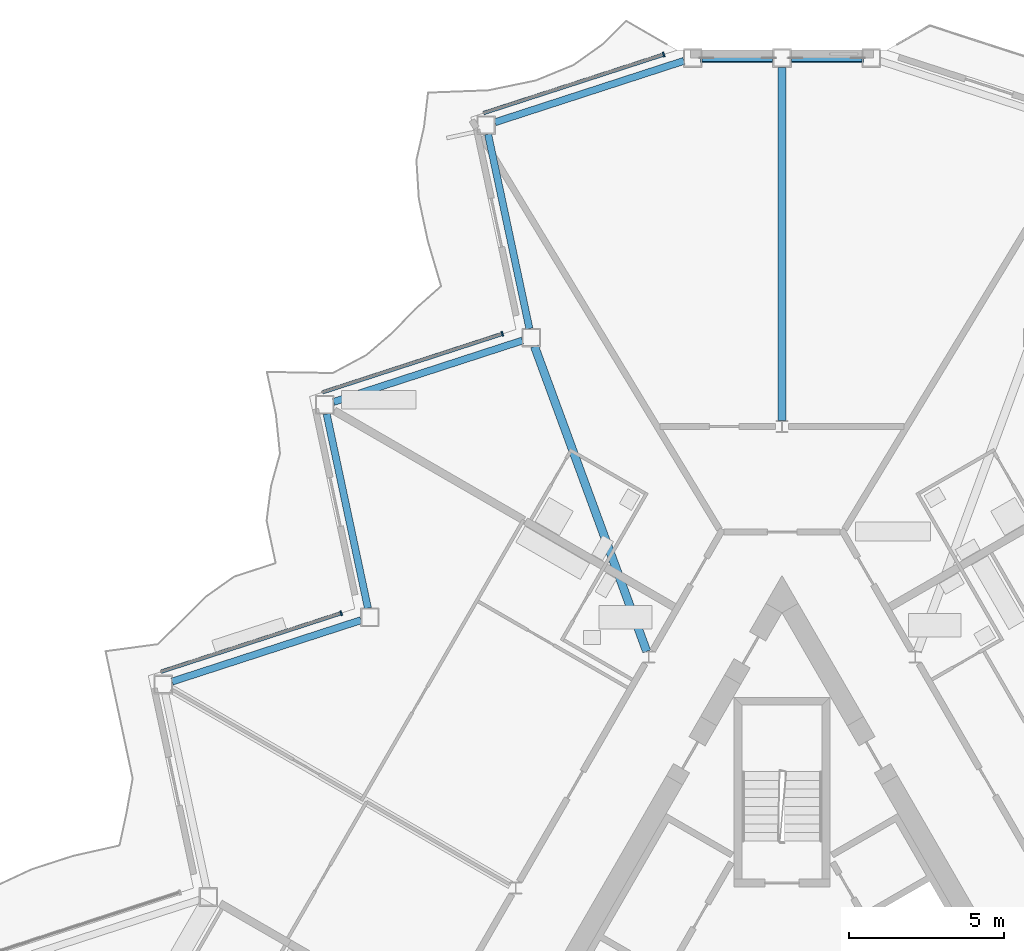
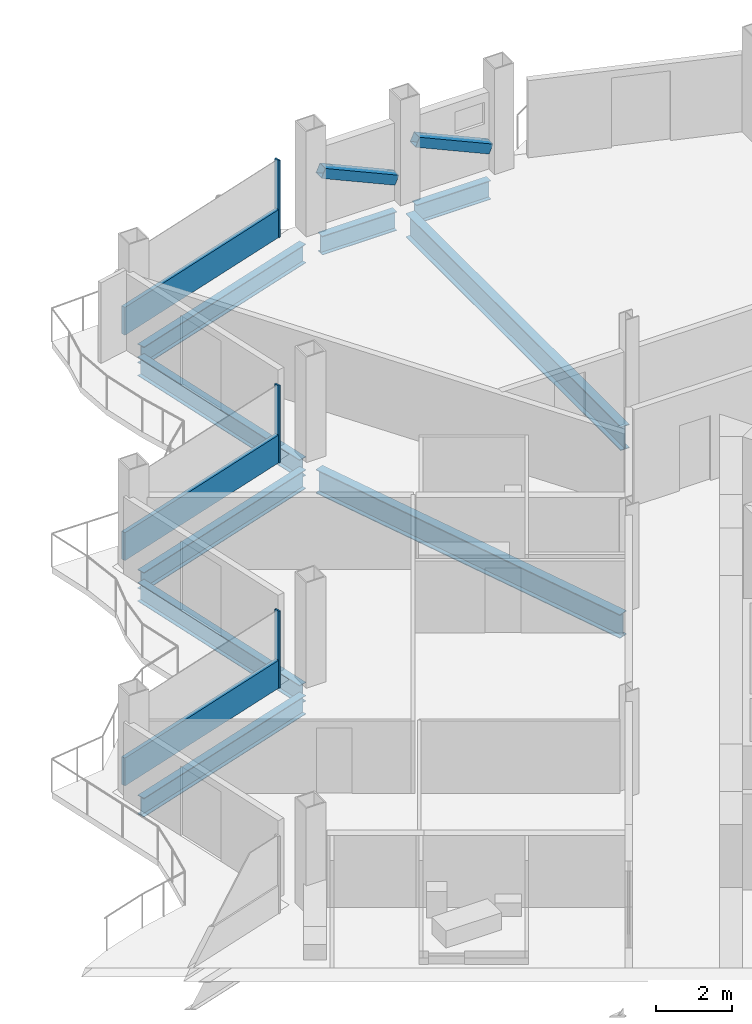
# One storey, part 10 of 27: 9 beams, 8 members, 3 elements without a shape of their own.
"""IFC4 building model written with IfcOpenShell, lengths in metres."""

import ifcopenshell
import ifcopenshell.guid

model = None  # the IFC model being written
_history = None  # IfcOwnerHistory: only IFC2X3 demands one
_inside = {}  # id of a spatial element -> (the spatial element, [elements in it])
_under = {}  # id of a project, library or spatial element -> (it, [spatial elements below it])
_declared = {}  # id of a project -> (the project, [libraries it declares])
_typed = {}  # id of a type object -> (the type object, [elements of that type])
_made_of = {}  # id of a material, layer set ... -> (it, [elements and type objects made of it])


def new_model(schema):
    """Start an empty IFC model of exactly this schema.

    Asked for "IFC4X3", IfcOpenShell would pick the latest addendum, in which some entities
    have other attributes; the version numbers below select the first issue.
    IFC2X3 requires an IfcOwnerHistory on every rooted entity: one is made here for all.
    """
    global model, _history
    if schema == "IFC4X3":
        model = ifcopenshell.file(schema_version=(4, 3, 0, 0))
    else:
        model = ifcopenshell.file(schema=schema)
    _inside.clear()
    _under.clear()
    _declared.clear()
    _typed.clear()
    _made_of.clear()
    _history = None
    if model.schema == "IFC2X3":
        org = make("IfcOrganization", Name="unknown")
        user = make(
            "IfcPersonAndOrganization",
            ThePerson=make("IfcPerson", FamilyName="unknown"),
            TheOrganization=org,
        )
        app = make(
            "IfcApplication",
            ApplicationDeveloper=org,
            Version="unknown",
            ApplicationFullName="unknown",
            ApplicationIdentifier="unknown",
        )
        _history = make(
            "IfcOwnerHistory",
            OwningUser=user,
            OwningApplication=app,
            ChangeAction="ADDED",
            CreationDate=0,
        )
    return model


def make(cls, **values):
    """One entity of the class cls with the attributes given. An attribute that is None is left unset."""
    return model.create_entity(
        cls, **{name: value for name, value in values.items() if value is not None}
    )


def rooted(cls, **values):
    """An entity with a GlobalId (a new one), such as an element, a storey or a relation."""
    return make(cls, GlobalId=ifcopenshell.guid.new(), OwnerHistory=_history, **values)


def si_unit(unit_type, name, prefix=None):
    """IfcSIUnit, for example si_unit("LENGTHUNIT", "METRE", prefix="MILLI")."""
    return make("IfcSIUnit", UnitType=unit_type, Prefix=prefix, Name=name)


def assignment(units):
    """IfcUnitAssignment: the units of a project."""
    return None if units is None else make("IfcUnitAssignment", Units=units)


def point(xyz):
    """IfcCartesianPoint."""
    return None if xyz is None else make("IfcCartesianPoint", Coordinates=xyz)


def direction(xyz):
    """IfcDirection."""
    return None if xyz is None else make("IfcDirection", DirectionRatios=xyz)


def frame(location, z_axis=None, x_axis=None):
    """IfcAxis2Placement3D, a coordinate frame: its origin and axes. An axis left out is left unset."""
    return make(
        "IfcAxis2Placement3D",
        Location=point(location),
        Axis=direction(z_axis),
        RefDirection=direction(x_axis),
    )


def frame_2d(location, x_axis=None):
    """IfcAxis2Placement2D, a coordinate frame in the plane: its origin and x axis."""
    return make(
        "IfcAxis2Placement2D", Location=point(location), RefDirection=direction(x_axis)
    )


def origin():
    """The frame at (0, 0, 0) with its axes left unset."""
    return frame((0.0, 0.0, 0.0))


def origin_2d():
    """The frame at (0, 0) in the plane with its x axis left unset."""
    return frame_2d((0.0, 0.0))


def place(relative_to, where):
    """IfcLocalPlacement: puts the frame where relative to a parent placement (None: the world)."""
    return make(
        "IfcLocalPlacement", PlacementRelTo=relative_to, RelativePlacement=where
    )


def context(
    kind, dimensions, precision=None, world=None, true_north=None, identifier=None
):
    """IfcGeometricRepresentationContext, for example the 3D "Model" context."""
    return make(
        "IfcGeometricRepresentationContext",
        ContextIdentifier=identifier,
        ContextType=kind,
        CoordinateSpaceDimension=dimensions,
        Precision=precision,
        WorldCoordinateSystem=world,
        TrueNorth=true_north,
    )


def subcontext(parent, identifier, kind, view, scale=None):
    """IfcGeometricRepresentationSubContext, for example "Body" below "Model"."""
    return make(
        "IfcGeometricRepresentationSubContext",
        ContextIdentifier=identifier,
        ContextType=kind,
        ParentContext=parent,
        TargetScale=scale,
        TargetView=view,
    )


def project(units=None, contexts=None):
    """IfcProject with its units and contexts."""
    return rooted(
        "IfcProject",
        Name="project",
        RepresentationContexts=contexts,
        UnitsInContext=assignment(units),
    )


def spatial(cls, under=None, at=None, **own):
    """A site, building, storey or space (cls), placed at a placement, below another one or the project."""
    s = rooted(cls, ObjectPlacement=at, **own)
    if under is not None:
        _under.setdefault(under.id(), (under, []))[1].append(s)
    return s


def profile(cls, at=None, kind="AREA", **sizes):
    """A parametric profile (cls). Its sizes go by their IFC names, for example OverallWidth=200.0."""
    return make(cls, ProfileType=kind, Position=at, **sizes)


def rectangle(**sizes):
    """IfcRectangleProfileDef."""
    return profile("IfcRectangleProfileDef", **sizes)


def hollow_rectangle(**sizes):
    """IfcRectangleHollowProfileDef."""
    return profile("IfcRectangleHollowProfileDef", **sizes)


def i_section(**sizes):
    """IfcIShapeProfileDef."""
    return profile("IfcIShapeProfileDef", **sizes)


def extrude(swept, where, along, depth):
    """IfcExtrudedAreaSolid: the profile swept, set in the frame where, extruded along a direction by depth."""
    return make(
        "IfcExtrudedAreaSolid",
        SweptArea=swept,
        Position=where,
        ExtrudedDirection=direction(along),
        Depth=depth,
    )


def shape(context_of_items, identifier, shape_type, items):
    """IfcShapeRepresentation: the items that make up one representation, for example the "Body"."""
    return make(
        "IfcShapeRepresentation",
        ContextOfItems=context_of_items,
        RepresentationIdentifier=identifier,
        RepresentationType=shape_type,
        Items=items,
    )


def material(Name=None, Category=None):
    """IfcMaterial."""
    return make("IfcMaterial", Name=Name, Category=Category)


def layer(
    of_material, thickness, ventilated=None, Name=None, Category=None, Priority=None
):
    """IfcMaterialLayer: one layer of a wall or slab, of a material (None: an air gap)."""
    return make(
        "IfcMaterialLayer",
        Material=of_material,
        LayerThickness=thickness,
        IsVentilated=ventilated,
        Name=Name,
        Category=Category,
        Priority=Priority,
    )


def layer_set(layers, Name=None):
    """IfcMaterialLayerSet."""
    return make("IfcMaterialLayerSet", MaterialLayers=layers, LayerSetName=Name)


def material_profile(
    of_material, cross_section, Name=None, Category=None, Priority=None
):
    """IfcMaterialProfile: a cross section and its material."""
    return make(
        "IfcMaterialProfile",
        Name=Name,
        Material=of_material,
        Profile=cross_section,
        Priority=Priority,
        Category=Category,
    )


def profile_set(profiles, Name=None, composite=None):
    """IfcMaterialProfileSet."""
    return make(
        "IfcMaterialProfileSet",
        Name=Name,
        MaterialProfiles=profiles,
        CompositeProfile=composite,
    )


def made_of(thing, what):
    """Note that an element or type object is made of a material, layer set ...; save() writes the relation."""
    if what is not None:
        _made_of.setdefault(what.id(), (what, []))[1].append(thing)
    return thing


def type_object(cls, material=None, **own):
    """A type object (cls), such as IfcWallType, which elements share."""
    return made_of(rooted(cls, **own), material)


def element(
    cls,
    number,
    at=None,
    inside=None,
    cuts=None,
    type_object=None,
    material=None,
    context=None,
    identifier="Body",
    shape_type=None,
    held_by="IfcProductDefinitionShape",
    body=None,
    shapes=None,
    **own,
):
    """One element of the class cls, such as IfcWall. Its Tag is "e" and its number.

    at: its placement. inside: the storey or other place that contains it. cuts: it is an
    opening in that element (IfcRelVoidsElement). A single representation is given by context,
    identifier, shape_type and body (its items); several are given by shapes. held_by: the class
    of the entity that holds the representations. save() writes the other relations.
    """
    e = rooted(cls, Tag="e%d" % number, ObjectPlacement=at, **own)
    if body is not None:
        shapes = [shape(context, identifier, shape_type, body)]
    if shapes is not None:
        e.Representation = make(held_by, Representations=shapes)
    if inside is not None:
        _inside.setdefault(inside.id(), (inside, []))[1].append(e)
    if cuts is not None:
        rooted(
            "IfcRelVoidsElement", RelatingBuildingElement=cuts, RelatedOpeningElement=e
        )
    if type_object is not None:
        _typed.setdefault(type_object.id(), (type_object, []))[1].append(e)
    return made_of(e, material)


def aggregate(whole, parts):
    """IfcRelAggregates: a whole, such as a stair, and the parts it consists of."""
    return rooted("IfcRelAggregates", RelatingObject=whole, RelatedObjects=parts)


def save(model, path):
    """Write the relations noted so far, then the file.

    IfcRelAggregates (storeys below a building ...), IfcRelContainedInSpatialStructure (elements
    in a storey), IfcRelDefinesByType, IfcRelAssociatesMaterial and IfcRelDeclares: one each for
    every whole, place, type object, material and project.
    """
    for whole, parts in _under.values():
        aggregate(whole, parts)
    for where, things in _inside.values():
        rooted(
            "IfcRelContainedInSpatialStructure",
            RelatedElements=things,
            RelatingStructure=where,
        )
    for kind, things in _typed.values():
        rooted("IfcRelDefinesByType", RelatedObjects=things, RelatingType=kind)
    for what, things in _made_of.values():
        rooted("IfcRelAssociatesMaterial", RelatedObjects=things, RelatingMaterial=what)
    for by, libraries in _declared.values():
        rooted("IfcRelDeclares", RelatingContext=by, RelatedDefinitions=libraries)
    model.write(path)


model = new_model("IFC4")

# Units and contexts
model_context = context("Model", 3, precision=1e-05, world=origin(), true_north=direction((0.0, 1.0)))
body_context = subcontext(model_context, "Body", "Model", "MODEL_VIEW")
ifc_project = project(units=[si_unit("LENGTHUNIT", "METRE"), si_unit("AREAUNIT", "SQUARE_METRE"), si_unit("VOLUMEUNIT", "CUBIC_METRE"), si_unit("PLANEANGLEUNIT", "RADIAN"), si_unit("MASSUNIT", "GRAM", prefix="KILO")], contexts=[model_context])

# Site, building, storey
site_placement = place(None, origin())
site = spatial("IfcSite", under=ifc_project, at=site_placement, CompositionType="ELEMENT")
building_placement = place(site_placement, origin())
building = spatial("IfcBuilding", under=site, at=building_placement, Name="Cormorant Prow Tower", CompositionType="ELEMENT")
storey_placement = place(building_placement, frame((0.0, 0.0, 312.0)))
storey = spatial("IfcBuildingStorey", under=building, at=storey_placement, Name="L68", CompositionType="ELEMENT", Elevation=312.0)

# Members
ifc_material_1 = material(Name="Structural steel ASTM A500 Gr C", Category="steel")
ifc_material_profile_1 = material_profile(ifc_material_1, hollow_rectangle(XDim=0.3046875, YDim=0.3046875, WallThickness=0.01171875, at=origin_2d()), Name="HSS12x12x1/2")
ifc_profile_set_1 = profile_set([ifc_material_profile_1], Name="Structural steel ASTM A500 Gr C")
member_type_1 = type_object("IfcMemberType", Name="Chamfer brace HSS12x12x1/2", PredefinedType="BRACE", material=ifc_profile_set_1)
for number, where, z_axis, x_axis, name in (
    (1, (2.55908203125, 31.676025390625, 0.7412109375), (-0.91256681832, 0.0, 0.408927624528), (0.0, -1.0, 0.0), "Chamfer brace BR3 at N00 L68"),
    (2, (-0.31494140625, 31.676025390625, 0.7412109375), (-0.91256681832, 0.0, 0.408927624528), (0.0, -1.0, 0.0), "Chamfer brace BR3 at N01 L68"),
):
    element("IfcMember", number, at=place(storey_placement, frame(where, z_axis=z_axis, x_axis=x_axis)), inside=storey, type_object=member_type_1, Name=name, PredefinedType="BRACE", context=body_context, shape_type="SweptSolid", body=[
        extrude(hollow_rectangle(XDim=0.3046875, YDim=0.3046875, WallThickness=0.01171875, at=origin_2d()), origin(), (0.0, 0.0, 1.0), 2.459228515625),
    ])

# Beams
ifc_material_2 = material(Name="Structural steel ASTM A992 Gr 50", Category="steel")
ifc_material_profile_2 = material_profile(ifc_material_2, i_section(OverallWidth=0.267822265625, OverallDepth=0.77001953125, WebThickness=0.015625, FlangeThickness=0.025390625, at=origin_2d()), Name="W30x132")
ifc_profile_set_2 = profile_set([ifc_material_profile_2], Name="Structural steel ASTM A992 Gr 50")
beam_type_1 = type_object("IfcBeamType", Name="Radial floor beam W30x132", PredefinedType="BEAM", material=ifc_profile_set_2)
beam_1_placement = place(storey_placement, frame((0.0, 20.0087890625, -0.68505859375), z_axis=(0.0, 1.0, 0.0), x_axis=(-1.0, 0.0, 0.0)))
element("IfcBeam", 3, at=beam_1_placement, inside=storey, type_object=beam_type_1, Name="Radial floor beam FB3 1 L68", PredefinedType="BEAM", context=body_context, shape_type="SweptSolid", body=[
    extrude(i_section(OverallWidth=0.267822265625, OverallDepth=0.77001953125, WebThickness=0.015625, FlangeThickness=0.025390625, at=origin_2d()), origin(), (0.0, 0.0, 1.0), 11.3671875),
])
beam_2_placement = place(storey_placement, frame((-4.357421875, 12.5673828125, -0.68505859375), z_axis=(-0.345131226703, 0.938554439739, 0.0), x_axis=(-0.938554439739, -0.345131226703, 0.0)))
element("IfcBeam", 4, at=beam_2_placement, inside=storey, type_object=beam_type_1, Name="Radial floor beam FB3 2 L68", PredefinedType="BEAM", context=body_context, shape_type="SweptSolid", body=[
    extrude(i_section(OverallWidth=0.267822265625, OverallDepth=0.77001953125, WebThickness=0.015625, FlangeThickness=0.025390625, at=origin_2d()), origin(), (0.0, 0.0, 1.0), 10.465087890625),
])

# Curtain wall, member
ifc_material_3 = material(Name="Aluminium 6063-T6", Category="aluminium")
ifc_layer = layer(ifc_material_3, 0.159912109375)
ifc_layer_set = layer_set([ifc_layer], Name="Aluminium 6063-T6")
curtain_wall_type = type_object("IfcCurtainWallType", Name="Residential unitised curtain wall 160", PredefinedType="NOTDEFINED", material=ifc_layer_set)
curtain_wall_1_placement = place(storey_placement, origin())
curtain_wall_1 = element("IfcCurtainWall", 5, at=curtain_wall_1_placement, inside=storey, type_object=curtain_wall_type, Name="Residential curtain wall WNW00", PredefinedType="NOTDEFINED")
ifc_material_4 = material(Name="Aluminium 6063-T6", Category="aluminium")
ifc_material_profile_3 = material_profile(ifc_material_4, rectangle(XDim=0.159912109375, YDim=0.050048828125, at=origin_2d()), Name="Residential mullion 50x160")
ifc_profile_set_3 = profile_set([ifc_material_profile_3], Name="Aluminium 6063-T6")
member_type_2 = type_object("IfcMemberType", Name="Residential mullion 50x160", PredefinedType="MULLION", material=ifc_profile_set_3)
member_1_placement = place(storey_placement, frame((-3.810791015625, 31.787109375, 0.0), z_axis=(0.0, 0.0, 1.0), x_axis=(0.309016945109, -0.951056532303, 0.0)))
member_1 = element("IfcMember", 6, at=member_1_placement, type_object=member_type_2, Name="Residential mullion WNW00", PredefinedType="MULLION", context=body_context, shape_type="SweptSolid", body=[
    extrude(rectangle(XDim=0.159912109375, YDim=0.050048828125, at=origin_2d()), origin(), (0.0, 0.0, 1.0), 2.48779296875),
])

curtain_wall_2_placement = place(storey_placement, origin())
curtain_wall_2 = element("IfcCurtainWall", 7, at=curtain_wall_2_placement, inside=storey, type_object=curtain_wall_type, Name="Residential curtain wall WNW02", PredefinedType="NOTDEFINED")
member_2_placement = place(storey_placement, frame((-9.00341796875, 22.792724609375, 0.0), z_axis=(0.0, 0.0, 1.0), x_axis=(0.309016945109, -0.951056532303, 0.0)))
member_2 = element("IfcMember", 8, at=member_2_placement, type_object=member_type_2, Name="Residential mullion WNW02", PredefinedType="MULLION", context=body_context, shape_type="SweptSolid", body=[
    extrude(rectangle(XDim=0.159912109375, YDim=0.050048828125, at=origin_2d()), origin(), (0.0, 0.0, 1.0), 2.48779296875),
])

curtain_wall_3_placement = place(storey_placement, origin())
curtain_wall_3 = element("IfcCurtainWall", 9, at=curtain_wall_3_placement, inside=storey, type_object=curtain_wall_type, Name="Residential curtain wall WNW04", PredefinedType="NOTDEFINED")
member_3_placement = place(storey_placement, frame((-14.1962890625, 13.798583984375, 0.0), z_axis=(0.0, 0.0, 1.0), x_axis=(0.309017074565, -0.95105649024, 0.0)))
member_3 = element("IfcMember", 10, at=member_3_placement, type_object=member_type_2, Name="Residential mullion WNW04", PredefinedType="MULLION", context=body_context, shape_type="SweptSolid", body=[
    extrude(rectangle(XDim=0.159912109375, YDim=0.050048828125, at=origin_2d()), origin(), (0.0, 0.0, 1.0), 2.48779296875),
])

# Member
ifc_material_5 = material(Name="Terracotta", Category="masonry")
ifc_material_profile_4 = material_profile(ifc_material_5, rectangle(XDim=0.1201171875, YDim=0.89990234375, at=origin_2d()), Name="Residential terracotta spandrel rail 120x900")
ifc_profile_set_4 = profile_set([ifc_material_profile_4], Name="Terracotta")
member_type_3 = type_object("IfcMemberType", Name="Residential terracotta spandrel rail 120x900", PredefinedType="USERDEFINED", material=ifc_profile_set_4)
member_4_placement = place(storey_placement, frame((-3.83447265625, 31.779296875, 0.449951171875), z_axis=(-0.951049438515, -0.309038776692, 0.0), x_axis=(0.309038776692, -0.951049438515, 0.0)))
member_4 = element("IfcMember", 11, at=member_4_placement, type_object=member_type_3, Name="Residential spandrel rail WNW00", ObjectType="TRANSOM", PredefinedType="USERDEFINED", context=body_context, shape_type="SweptSolid", body=[
    extrude(rectangle(XDim=0.1201171875, YDim=0.89990234375, at=origin_2d()), origin(), (0.0, 0.0, 1.0), 6.069580078125),
])

aggregate(curtain_wall_1, [member_1, member_4])

member_5_placement = place(storey_placement, frame((-9.02734375, 22.78515625, 0.449951171875), z_axis=(-0.951049438515, -0.309038776692, 0.0), x_axis=(0.309038776692, -0.951049438515, 0.0)))
member_5 = element("IfcMember", 12, at=member_5_placement, type_object=member_type_3, Name="Residential spandrel rail WNW02", ObjectType="TRANSOM", PredefinedType="USERDEFINED", context=body_context, shape_type="SweptSolid", body=[
    extrude(rectangle(XDim=0.1201171875, YDim=0.89990234375, at=origin_2d()), origin(), (0.0, 0.0, 1.0), 6.069580078125),
])

aggregate(curtain_wall_2, [member_2, member_5])

member_6_placement = place(storey_placement, frame((-14.22021484375, 13.790771484375, 0.449951171875), z_axis=(-0.951061260164, -0.309002393867, 0.0), x_axis=(0.309002393867, -0.951061260164, 0.0)))
member_6 = element("IfcMember", 13, at=member_6_placement, type_object=member_type_3, Name="Residential spandrel rail WNW04", ObjectType="TRANSOM", PredefinedType="USERDEFINED", context=body_context, shape_type="SweptSolid", body=[
    extrude(rectangle(XDim=0.1201171875, YDim=0.89990234375, at=origin_2d()), origin(), (0.0, 0.0, 1.0), 6.069580078125),
])

aggregate(curtain_wall_3, [member_3, member_6])

# Beams
ifc_material_6 = material(Name="Structural steel ASTM A992 Gr 50", Category="steel")
ifc_material_profile_5 = material_profile(ifc_material_6, i_section(OverallWidth=0.22900390625, OverallDepth=0.612060546875, WebThickness=0.011962890625, FlangeThickness=0.01953125, at=origin_2d()), Name="W24x84")
ifc_profile_set_5 = profile_set([ifc_material_profile_5], Name="Structural steel ASTM A992 Gr 50")
beam_type_2 = type_object("IfcBeamType", Name="Spandrel beam W24x84", PredefinedType="SPANDREL", material=ifc_profile_set_5)
for number, where, z_axis, x_axis, name in (
    (14, (2.57373046875, 31.676025390625, -0.60595703125), (-1.0, 0.0, 0.0), (0.0, -1.0, 0.0), "Spandrel beam SB3 N00-N01 L68"),
    (15, (-0.300048828125, 31.676025390625, -0.60595703125), (-1.0, 0.0, 0.0), (0.0, -1.0, 0.0), "Spandrel beam SB3 N01-WNW00 L68"),
):
    element("IfcBeam", number, at=place(storey_placement, frame(where, z_axis=z_axis, x_axis=x_axis)), inside=storey, type_object=beam_type_2, Name=name, PredefinedType="SPANDREL", context=body_context, shape_type="SweptSolid", body=[
        extrude(i_section(OverallWidth=0.22900390625, OverallDepth=0.612060546875, WebThickness=0.011962890625, FlangeThickness=0.01953125, at=origin_2d()), origin(), (0.0, 0.0, 1.0), 2.273681640625),
    ])
beam_3_placement = place(storey_placement, frame((-3.1591796875, 31.583251953125, -0.60595703125), z_axis=(-0.951064359156, -0.308992855489, 0.0), x_axis=(0.308992855489, -0.951064359156, 0.0)))
element("IfcBeam", 16, at=beam_3_placement, inside=storey, type_object=beam_type_2, Name="Spandrel beam SB3 WNW00-WNW01 L68", PredefinedType="SPANDREL", context=body_context, shape_type="SweptSolid", body=[
    extrude(i_section(OverallWidth=0.22900390625, OverallDepth=0.612060546875, WebThickness=0.011962890625, FlangeThickness=0.01953125, at=origin_2d()), origin(), (0.0, 0.0, 1.0), 6.39599609375),
])
beam_4_placement = place(storey_placement, frame((-9.465087890625, 29.220703125, -0.60595703125), z_axis=(0.20791262393, -0.978147402394, 0.0), x_axis=(0.978147402394, 0.20791262393, 0.0)))
element("IfcBeam", 17, at=beam_4_placement, inside=storey, type_object=beam_type_2, Name="Spandrel beam SB3 WNW01-WNW02 L68", PredefinedType="SPANDREL", context=body_context, shape_type="SweptSolid", body=[
    extrude(i_section(OverallWidth=0.22900390625, OverallDepth=0.612060546875, WebThickness=0.011962890625, FlangeThickness=0.01953125, at=origin_2d()), origin(), (0.0, 0.0, 1.0), 6.396240234375),
])
for number, where, z_axis, x_axis, name in (
    (18, (-8.358154296875, 22.578369140625, -0.60595703125), (-0.95105314132, -0.309027381286, 0.0), (0.309027381286, -0.95105314132, 0.0), "Spandrel beam SB3 WNW02-WNW03 L68"),
    (19, (-14.6640625, 20.215576171875, -0.60595703125), (0.207920386839, -0.978145752297, 0.0), (0.978145752297, 0.207920386839, 0.0), "Spandrel beam SB3 WNW03-WNW04 L68"),
    (20, (-13.557373046875, 13.5732421875, -0.60595703125), (-0.95105314132, -0.309027381286, 0.0), (0.309027381286, -0.95105314132, 0.0), "Spandrel beam SB3 WNW04-WNW05 L68"),
):
    element("IfcBeam", number, at=place(storey_placement, frame(where, z_axis=z_axis, x_axis=x_axis)), inside=storey, type_object=beam_type_2, Name=name, PredefinedType="SPANDREL", context=body_context, shape_type="SweptSolid", body=[
        extrude(i_section(OverallWidth=0.22900390625, OverallDepth=0.612060546875, WebThickness=0.011962890625, FlangeThickness=0.01953125, at=origin_2d()), origin(), (0.0, 0.0, 1.0), 6.39599609375),
    ])

save(model, "model.ifc")
